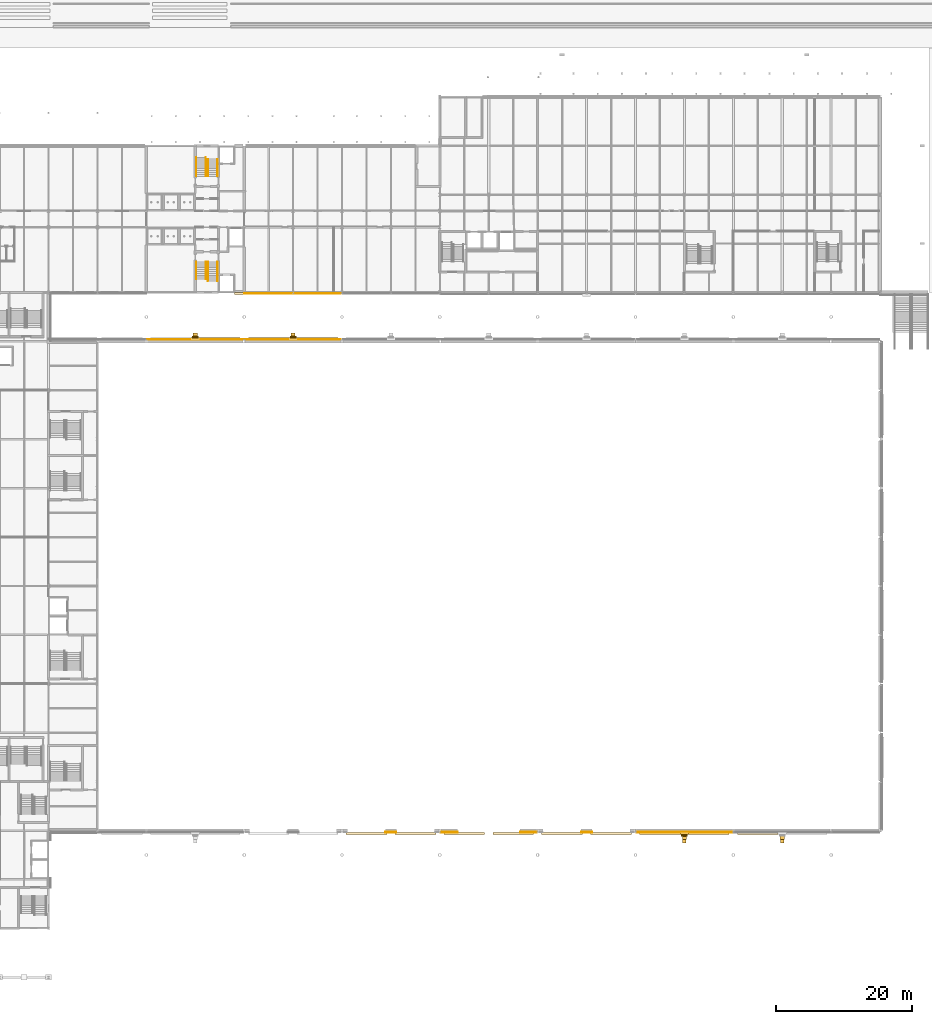
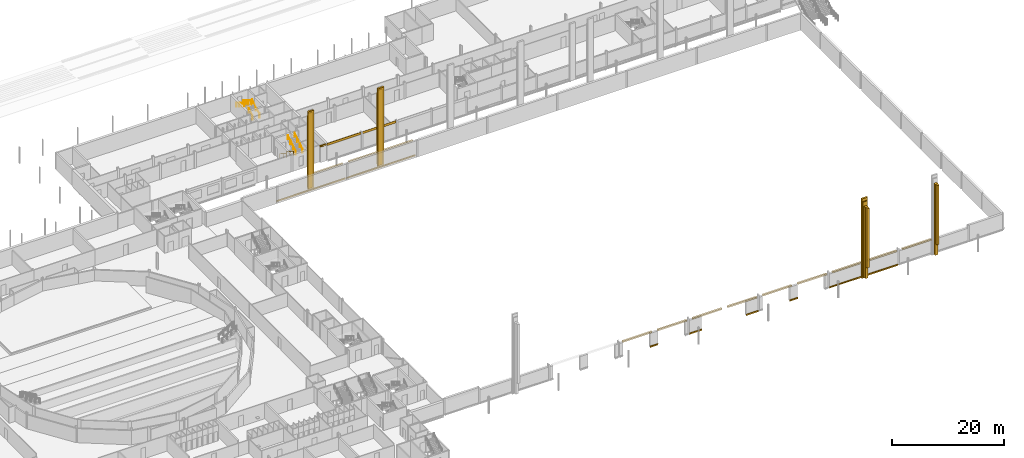
# One storey, part 83 of 90: 34 coverings, 8 railings.
"""IFC4 building model written with IfcOpenShell, lengths in metres."""

import ifcopenshell
import ifcopenshell.guid

model = None  # the IFC model being written
_history = None  # IfcOwnerHistory: only IFC2X3 demands one
_inside = {}  # id of a spatial element -> (the spatial element, [elements in it])
_under = {}  # id of a project, library or spatial element -> (it, [spatial elements below it])
_declared = {}  # id of a project -> (the project, [libraries it declares])
_typed = {}  # id of a type object -> (the type object, [elements of that type])
_made_of = {}  # id of a material, layer set ... -> (it, [elements and type objects made of it])


def new_model(schema):
    """Start an empty IFC model of exactly this schema.

    Asked for "IFC4X3", IfcOpenShell would pick the latest addendum, in which some entities
    have other attributes; the version numbers below select the first issue.
    IFC2X3 requires an IfcOwnerHistory on every rooted entity: one is made here for all.
    """
    global model, _history
    if schema == "IFC4X3":
        model = ifcopenshell.file(schema_version=(4, 3, 0, 0))
    else:
        model = ifcopenshell.file(schema=schema)
    _inside.clear()
    _under.clear()
    _declared.clear()
    _typed.clear()
    _made_of.clear()
    _history = None
    if model.schema == "IFC2X3":
        org = make("IfcOrganization", Name="unknown")
        user = make(
            "IfcPersonAndOrganization",
            ThePerson=make("IfcPerson", FamilyName="unknown"),
            TheOrganization=org,
        )
        app = make(
            "IfcApplication",
            ApplicationDeveloper=org,
            Version="unknown",
            ApplicationFullName="unknown",
            ApplicationIdentifier="unknown",
        )
        _history = make(
            "IfcOwnerHistory",
            OwningUser=user,
            OwningApplication=app,
            ChangeAction="ADDED",
            CreationDate=0,
        )
    return model


def make(cls, **values):
    """One entity of the class cls with the attributes given. An attribute that is None is left unset."""
    return model.create_entity(
        cls, **{name: value for name, value in values.items() if value is not None}
    )


def rooted(cls, **values):
    """An entity with a GlobalId (a new one), such as an element, a storey or a relation."""
    return make(cls, GlobalId=ifcopenshell.guid.new(), OwnerHistory=_history, **values)


def si_unit(unit_type, name, prefix=None):
    """IfcSIUnit, for example si_unit("LENGTHUNIT", "METRE", prefix="MILLI")."""
    return make("IfcSIUnit", UnitType=unit_type, Prefix=prefix, Name=name)


def assignment(units):
    """IfcUnitAssignment: the units of a project."""
    return None if units is None else make("IfcUnitAssignment", Units=units)


def point(xyz):
    """IfcCartesianPoint."""
    return None if xyz is None else make("IfcCartesianPoint", Coordinates=xyz)


def direction(xyz):
    """IfcDirection."""
    return None if xyz is None else make("IfcDirection", DirectionRatios=xyz)


def frame(location, z_axis=None, x_axis=None):
    """IfcAxis2Placement3D, a coordinate frame: its origin and axes. An axis left out is left unset."""
    return make(
        "IfcAxis2Placement3D",
        Location=point(location),
        Axis=direction(z_axis),
        RefDirection=direction(x_axis),
    )


def frame_2d(location, x_axis=None):
    """IfcAxis2Placement2D, a coordinate frame in the plane: its origin and x axis."""
    return make(
        "IfcAxis2Placement2D", Location=point(location), RefDirection=direction(x_axis)
    )


def origin():
    """The frame at (0, 0, 0) with its axes left unset."""
    return frame((0.0, 0.0, 0.0))


def origin_2d():
    """The frame at (0, 0) in the plane with its x axis left unset."""
    return frame_2d((0.0, 0.0))


def place(relative_to, where):
    """IfcLocalPlacement: puts the frame where relative to a parent placement (None: the world)."""
    return make(
        "IfcLocalPlacement", PlacementRelTo=relative_to, RelativePlacement=where
    )


def context(
    kind, dimensions, precision=None, world=None, true_north=None, identifier=None
):
    """IfcGeometricRepresentationContext, for example the 3D "Model" context."""
    return make(
        "IfcGeometricRepresentationContext",
        ContextIdentifier=identifier,
        ContextType=kind,
        CoordinateSpaceDimension=dimensions,
        Precision=precision,
        WorldCoordinateSystem=world,
        TrueNorth=true_north,
    )


def subcontext(parent, identifier, kind, view, scale=None):
    """IfcGeometricRepresentationSubContext, for example "Body" below "Model"."""
    return make(
        "IfcGeometricRepresentationSubContext",
        ContextIdentifier=identifier,
        ContextType=kind,
        ParentContext=parent,
        TargetScale=scale,
        TargetView=view,
    )


def project(units=None, contexts=None):
    """IfcProject with its units and contexts."""
    return rooted(
        "IfcProject",
        Name="project",
        RepresentationContexts=contexts,
        UnitsInContext=assignment(units),
    )


def spatial(cls, under=None, at=None, **own):
    """A site, building, storey or space (cls), placed at a placement, below another one or the project."""
    s = rooted(cls, ObjectPlacement=at, **own)
    if under is not None:
        _under.setdefault(under.id(), (under, []))[1].append(s)
    return s


def profile(cls, at=None, kind="AREA", **sizes):
    """A parametric profile (cls). Its sizes go by their IFC names, for example OverallWidth=200.0."""
    return make(cls, ProfileType=kind, Position=at, **sizes)


def rectangle(**sizes):
    """IfcRectangleProfileDef."""
    return profile("IfcRectangleProfileDef", **sizes)


def circle(**sizes):
    """IfcCircleProfileDef."""
    return profile("IfcCircleProfileDef", **sizes)


def extrude(swept, where, along, depth):
    """IfcExtrudedAreaSolid: the profile swept, set in the frame where, extruded along a direction by depth."""
    return make(
        "IfcExtrudedAreaSolid",
        SweptArea=swept,
        Position=where,
        ExtrudedDirection=direction(along),
        Depth=depth,
    )


def shape(context_of_items, identifier, shape_type, items):
    """IfcShapeRepresentation: the items that make up one representation, for example the "Body"."""
    return make(
        "IfcShapeRepresentation",
        ContextOfItems=context_of_items,
        RepresentationIdentifier=identifier,
        RepresentationType=shape_type,
        Items=items,
    )


def material(Name=None, Category=None):
    """IfcMaterial."""
    return make("IfcMaterial", Name=Name, Category=Category)


def layer(
    of_material, thickness, ventilated=None, Name=None, Category=None, Priority=None
):
    """IfcMaterialLayer: one layer of a wall or slab, of a material (None: an air gap)."""
    return make(
        "IfcMaterialLayer",
        Material=of_material,
        LayerThickness=thickness,
        IsVentilated=ventilated,
        Name=Name,
        Category=Category,
        Priority=Priority,
    )


def layer_set(layers, Name=None):
    """IfcMaterialLayerSet."""
    return make("IfcMaterialLayerSet", MaterialLayers=layers, LayerSetName=Name)


def made_of(thing, what):
    """Note that an element or type object is made of a material, layer set ...; save() writes the relation."""
    if what is not None:
        _made_of.setdefault(what.id(), (what, []))[1].append(thing)
    return thing


def type_object(cls, material=None, **own):
    """A type object (cls), such as IfcWallType, which elements share."""
    return made_of(rooted(cls, **own), material)


def element(
    cls,
    number,
    at=None,
    inside=None,
    cuts=None,
    type_object=None,
    material=None,
    context=None,
    identifier="Body",
    shape_type=None,
    held_by="IfcProductDefinitionShape",
    body=None,
    shapes=None,
    **own,
):
    """One element of the class cls, such as IfcWall. Its Tag is "e" and its number.

    at: its placement. inside: the storey or other place that contains it. cuts: it is an
    opening in that element (IfcRelVoidsElement). A single representation is given by context,
    identifier, shape_type and body (its items); several are given by shapes. held_by: the class
    of the entity that holds the representations. save() writes the other relations.
    """
    e = rooted(cls, Tag="e%d" % number, ObjectPlacement=at, **own)
    if body is not None:
        shapes = [shape(context, identifier, shape_type, body)]
    if shapes is not None:
        e.Representation = make(held_by, Representations=shapes)
    if inside is not None:
        _inside.setdefault(inside.id(), (inside, []))[1].append(e)
    if cuts is not None:
        rooted(
            "IfcRelVoidsElement", RelatingBuildingElement=cuts, RelatedOpeningElement=e
        )
    if type_object is not None:
        _typed.setdefault(type_object.id(), (type_object, []))[1].append(e)
    return made_of(e, material)


def aggregate(whole, parts):
    """IfcRelAggregates: a whole, such as a stair, and the parts it consists of."""
    return rooted("IfcRelAggregates", RelatingObject=whole, RelatedObjects=parts)


def save(model, path):
    """Write the relations noted so far, then the file.

    IfcRelAggregates (storeys below a building ...), IfcRelContainedInSpatialStructure (elements
    in a storey), IfcRelDefinesByType, IfcRelAssociatesMaterial and IfcRelDeclares: one each for
    every whole, place, type object, material and project.
    """
    for whole, parts in _under.values():
        aggregate(whole, parts)
    for where, things in _inside.values():
        rooted(
            "IfcRelContainedInSpatialStructure",
            RelatedElements=things,
            RelatingStructure=where,
        )
    for kind, things in _typed.values():
        rooted("IfcRelDefinesByType", RelatedObjects=things, RelatingType=kind)
    for what, things in _made_of.values():
        rooted("IfcRelAssociatesMaterial", RelatedObjects=things, RelatingMaterial=what)
    for by, libraries in _declared.values():
        rooted("IfcRelDeclares", RelatingContext=by, RelatedDefinitions=libraries)
    model.write(path)


model = new_model("IFC4")

# Units and contexts
model_context = context("Model", 3, precision=1e-05, world=origin(), true_north=direction((0.0, 1.0)))
body_context = subcontext(model_context, "Body", "Model", "MODEL_VIEW")
ifc_project = project(units=[si_unit("LENGTHUNIT", "METRE"), si_unit("AREAUNIT", "SQUARE_METRE"), si_unit("VOLUMEUNIT", "CUBIC_METRE"), si_unit("PLANEANGLEUNIT", "RADIAN"), si_unit("MASSUNIT", "GRAM", prefix="KILO")], contexts=[model_context])

# Site, building, storey
site_placement = place(None, origin())
site = spatial("IfcSite", under=ifc_project, at=site_placement, CompositionType="ELEMENT")
building_placement = place(site_placement, origin())
building = spatial("IfcBuilding", under=site, at=building_placement, Name="Kupolbacken Congress Centre", CompositionType="ELEMENT")
storey_placement = place(building_placement, frame((0.0, 0.0, 3.60009765625)))
storey = spatial("IfcBuildingStorey", under=building, at=storey_placement, Name="L01", CompositionType="ELEMENT", Elevation=3.60009765625)

# Coverings
ifc_material_1 = material(Name="Limestone cladding", Category="masonry")
ifc_layer_1 = layer(ifc_material_1, 0.1201171875)
ifc_layer_set_1 = layer_set([ifc_layer_1], Name="Limestone cladding")
covering_type_1 = type_object("IfcCoveringType", Name="CV1 limestone cladding band 120", PredefinedType="CLADDING", material=ifc_layer_set_1)
covering_1_placement = place(storey_placement, frame((107.199951171875, 122.2451171875, 3.419921875), z_axis=(0.0, 0.0, 1.0), x_axis=(1.0, 0.0, 0.0)))
element("IfcCovering", 1, at=covering_1_placement, inside=storey, type_object=covering_type_1, Name="E/T/S/L01/009/band", PredefinedType="CLADDING", context=body_context, shape_type="SweptSolid", body=[
    extrude(rectangle(XDim=1.199951171875, YDim=0.31005859375, at=origin_2d()), origin(), (0.0, 0.0, 1.0), 0.179931640625),
])
covering_2_placement = place(storey_placement, frame((111.523193359375, 122.282470703125, 3.119873046875), z_axis=(0.0, 0.0, 1.0), x_axis=(1.0, 0.0, 0.0)))
element("IfcCovering", 2, at=covering_2_placement, inside=storey, type_object=covering_type_1, Name="E/T/S/L01/010/band", PredefinedType="CLADDING", context=body_context, shape_type="SweptSolid", body=[
    extrude(rectangle(XDim=7.04638671875, YDim=0.06494140625, at=origin_2d()), origin(), (0.0, 0.0, 1.0), 0.47998046875),
])
covering_3_placement = place(storey_placement, frame((118.800048828125, 122.282470703125, 3.119873046875), z_axis=(0.0, 0.0, 1.0), x_axis=(1.0, 0.0, 0.0)))
element("IfcCovering", 3, at=covering_3_placement, inside=storey, type_object=covering_type_1, Name="E/T/S/L01/011/band", PredefinedType="CLADDING", context=body_context, shape_type="SweptSolid", body=[
    extrude(rectangle(XDim=6.89306640625, YDim=0.06494140625, at=origin_2d()), origin(), (0.0, 0.0, 1.0), 0.47998046875),
])
ifc_material_2 = material(Name="Brick cladding", Category="masonry")
ifc_layer_2 = layer(ifc_material_2, 0.10791015625)
ifc_layer_set_2 = layer_set([ifc_layer_2], Name="Brick cladding")
covering_type_2 = type_object("IfcCoveringType", Name="CV2 brick cladding band 108", PredefinedType="CLADDING", material=ifc_layer_set_2)
for number, where, z_axis, x_axis, name in (
    (4, (115.199951171875, 115.464111328125, 0.0), (0.0, 0.0, 1.0), (-1.0, 0.0, 0.0), "E/H/N/L01/168/band"),
    (5, (100.800048828125, 115.464111328125, 0.0), (0.0, 0.0, 1.0), (-1.0, 0.0, 0.0), "E/H/N/L01/169/band"),
):
    element("IfcCovering", number, at=place(storey_placement, frame(where, z_axis=z_axis, x_axis=x_axis)), inside=storey, type_object=covering_type_2, Name=name, PredefinedType="CLADDING", context=body_context, shape_type="SweptSolid", body=[
        extrude(rectangle(XDim=14.10009765625, YDim=0.10791015625, at=origin_2d()), origin(), (0.0, 0.0, 1.0), 0.300048828125),
    ])
covering_4_placement = place(storey_placement, frame((129.60009765625, 42.93603515625, 0.0), z_axis=(0.0, 0.0, 1.0), x_axis=(1.0, 0.0, 0.0)))
element("IfcCovering", 6, at=covering_4_placement, inside=storey, type_object=covering_type_2, Name="E/H/S/L01/177/band", PredefinedType="CLADDING", context=body_context, shape_type="SweptSolid", body=[
    extrude(rectangle(XDim=1.60009765625, YDim=0.10791015625, at=origin_2d()), origin(), (0.0, 0.0, 1.0), 0.300048828125),
])
for number, where, z_axis, x_axis, name in (
    (7, (138.175048828125, 42.93603515625, 0.0), (0.0, 0.0, 1.0), (1.0, 0.0, 0.0), "E/H/S/L01/179/band"),
    (8, (149.824951171875, 42.93603515625, 0.0), (0.0, 0.0, 1.0), (1.0, 0.0, 0.0), "E/H/S/L01/180/band"),
):
    element("IfcCovering", number, at=place(storey_placement, frame(where, z_axis=z_axis, x_axis=x_axis)), inside=storey, type_object=covering_type_2, Name=name, PredefinedType="CLADDING", context=body_context, shape_type="SweptSolid", body=[
        extrude(rectangle(XDim=2.449951171875, YDim=0.10791015625, at=origin_2d()), origin(), (0.0, 0.0, 1.0), 0.300048828125),
    ])
covering_5_placement = place(storey_placement, frame((158.39990234375, 42.93603515625, 0.0), z_axis=(0.0, 0.0, 1.0), x_axis=(1.0, 0.0, 0.0)))
element("IfcCovering", 9, at=covering_5_placement, inside=storey, type_object=covering_type_2, Name="E/H/S/L01/182/band", PredefinedType="CLADDING", context=body_context, shape_type="SweptSolid", body=[
    extrude(rectangle(XDim=1.60009765625, YDim=0.10791015625, at=origin_2d()), origin(), (0.0, 0.0, 1.0), 0.300048828125),
])
covering_6_placement = place(storey_placement, frame((172.800048828125, 42.93603515625, 0.0), z_axis=(0.0, 0.0, 1.0), x_axis=(1.0, 0.0, 0.0)))
element("IfcCovering", 10, at=covering_6_placement, inside=storey, type_object=covering_type_2, Name="E/H/S/L01/184/band", PredefinedType="CLADDING", context=body_context, shape_type="SweptSolid", body=[
    extrude(rectangle(XDim=14.10009765625, YDim=0.10791015625, at=origin_2d()), origin(), (0.0, 0.0, 1.0), 0.300048828125),
])
ifc_material_3 = material(Name="Limestone cladding", Category="masonry")
ifc_layer_3 = layer(ifc_material_3, 0.35009765625)
ifc_layer_set_3 = layer_set([ifc_layer_3], Name="Limestone cladding")
covering_type_3 = type_object("IfcCoveringType", Name="CV3 limestone pilaster strip 350", PredefinedType="CLADDING", material=ifc_layer_set_3)
for number, where, z_axis, x_axis, name in (
    (11, (172.800048828125, 42.764892578125, 0.0), (0.0, 0.0, 1.0), (1.0, 0.0, 0.0), "F/H/S/pil/12/0"),
    (12, (100.800048828125, 115.5849609375, 0.0), (0.0, 0.0, 1.0), (1.0, 0.0, 0.0), "F/H/N/pil/02/0"),
    (13, (115.199951171875, 115.5849609375, 0.0), (0.0, 0.0, 1.0), (1.0, 0.0, 0.0), "F/H/N/pil/04/0"),
):
    element("IfcCovering", number, at=place(storey_placement, frame(where, z_axis=z_axis, x_axis=x_axis)), inside=storey, type_object=covering_type_3, Name=name, PredefinedType="CLADDING", context=body_context, shape_type="SweptSolid", body=[
        extrude(rectangle(XDim=1.199951171875, YDim=0.35009765625, at=origin_2d()), origin(), (0.0, 0.0, 1.0), 17.3349609375),
    ])
for number, where, z_axis, x_axis, name in (
    (14, (126.0, 42.764892578125, 3.2998046875), (0.0, 0.0, 1.0), (1.0, 0.0, 0.0), "F/HR/H/S/string/7.2/05/0"),
    (15, (133.199951171875, 42.764892578125, 3.2998046875), (0.0, 0.0, 1.0), (1.0, 0.0, 0.0), "F/HR/H/S/string/7.2/06/0"),
    (16, (140.39990234375, 42.764892578125, 3.2998046875), (0.0, 0.0, 1.0), (1.0, 0.0, 0.0), "F/HR/H/S/string/7.2/07/0"),
    (17, (147.60009765625, 42.764892578125, 3.2998046875), (0.0, 0.0, 1.0), (1.0, 0.0, 0.0), "F/HR/H/S/string/7.2/08/0"),
    (18, (154.800048828125, 42.764892578125, 3.2998046875), (0.0, 0.0, 1.0), (1.0, 0.0, 0.0), "F/HR/H/S/string/7.2/09/0"),
    (19, (162.0, 42.764892578125, 3.2998046875), (0.0, 0.0, 1.0), (1.0, 0.0, 0.0), "F/HR/H/S/string/7.2/10/0"),
    (20, (169.199951171875, 42.764892578125, 3.2998046875), (0.0, 0.0, 1.0), (1.0, 0.0, 0.0), "F/HR/H/S/string/7.2/11/0"),
    (21, (176.39990234375, 42.764892578125, 3.2998046875), (0.0, 0.0, 1.0), (1.0, 0.0, 0.0), "F/HR/H/S/string/7.2/12/0"),
    (22, (183.60009765625, 42.764892578125, 3.2998046875), (0.0, 0.0, 1.0), (1.0, 0.0, 0.0), "F/HR/H/S/string/7.2/13/0"),
    (23, (104.39990234375, 115.5849609375, 3.2998046875), (0.0, 0.0, 1.0), (1.0, 0.0, 0.0), "F/HR/H/N/string/7.2/02/0"),
    (24, (111.60009765625, 115.5849609375, 3.2998046875), (0.0, 0.0, 1.0), (1.0, 0.0, 0.0), "F/HR/H/N/string/7.2/03/0"),
    (25, (118.800048828125, 115.5849609375, 3.2998046875), (0.0, 0.0, 1.0), (1.0, 0.0, 0.0), "F/HR/H/N/string/7.2/04/0"),
):
    element("IfcCovering", number, at=place(storey_placement, frame(where, z_axis=z_axis, x_axis=x_axis)), inside=storey, type_object=covering_type_3, Name=name, PredefinedType="CLADDING", context=body_context, shape_type="SweptSolid", body=[
        extrude(rectangle(XDim=6.0, YDim=0.35009765625, at=origin_2d()), origin(), (0.0, 0.0, 1.0), 0.300048828125),
    ])
ifc_material_4 = material(Name="Limestone cladding", Category="masonry")
ifc_layer_4 = layer(ifc_material_4, 0.5)
ifc_layer_set_4 = layer_set([ifc_layer_4], Name="Limestone cladding")
covering_type_4 = type_object("IfcCoveringType", Name="CV8 limestone drum pier 500", PredefinedType="CLADDING", material=ifc_layer_set_4)
covering_7_placement = place(storey_placement, frame((172.800048828125, 42.139892578125, 0.2998046875), z_axis=(0.0, 0.0, 1.0), x_axis=(1.0, 0.0, 0.0)))
element("IfcCovering", 26, at=covering_7_placement, inside=storey, type_object=covering_type_4, Name="F/HR/H/S/butt/12-0/0", PredefinedType="CLADDING", context=body_context, shape_type="SweptSolid", body=[
    extrude(rectangle(XDim=0.60009765625, YDim=0.5, at=origin_2d()), origin(), (0.0, 0.0, 1.0), 15.485107421875),
])
covering_8_placement = place(storey_placement, frame((172.800048828125, 41.639892578125, 2.89990234375), z_axis=(0.0, 0.0, 1.0), x_axis=(1.0, 0.0, 0.0)))
element("IfcCovering", 27, at=covering_8_placement, inside=storey, type_object=covering_type_4, Name="F/HR/H/S/butt2/12-0/0", PredefinedType="CLADDING", context=body_context, shape_type="SweptSolid", body=[
    extrude(rectangle(XDim=0.5, YDim=0.5, at=origin_2d()), origin(), (0.0, 0.0, 1.0), 12.885009765625),
])
covering_9_placement = place(storey_placement, frame((187.199951171875, 42.139892578125, 0.2998046875), z_axis=(0.0, 0.0, 1.0), x_axis=(1.0, 0.0, 0.0)))
element("IfcCovering", 28, at=covering_9_placement, inside=storey, type_object=covering_type_4, Name="F/HR/H/S/butt/14-0/0", PredefinedType="CLADDING", context=body_context, shape_type="SweptSolid", body=[
    extrude(rectangle(XDim=0.60009765625, YDim=0.5, at=origin_2d()), origin(), (0.0, 0.0, 1.0), 15.485107421875),
])
covering_10_placement = place(storey_placement, frame((187.199951171875, 41.639892578125, 2.89990234375), z_axis=(0.0, 0.0, 1.0), x_axis=(1.0, 0.0, 0.0)))
element("IfcCovering", 29, at=covering_10_placement, inside=storey, type_object=covering_type_4, Name="F/HR/H/S/butt2/14-0/0", PredefinedType="CLADDING", context=body_context, shape_type="SweptSolid", body=[
    extrude(rectangle(XDim=0.5, YDim=0.5, at=origin_2d()), origin(), (0.0, 0.0, 1.0), 12.885009765625),
])
for number, where, z_axis, x_axis, name in (
    (30, (100.800048828125, 116.2099609375, 0.2998046875), (0.0, 0.0, 1.0), (1.0, 0.0, 0.0), "F/HR/H/N/butt/02-0/0"),
    (31, (115.199951171875, 116.2099609375, 0.2998046875), (0.0, 0.0, 1.0), (1.0, 0.0, 0.0), "F/HR/H/N/butt/04-0/0"),
):
    element("IfcCovering", number, at=place(storey_placement, frame(where, z_axis=z_axis, x_axis=x_axis)), inside=storey, type_object=covering_type_4, Name=name, PredefinedType="CLADDING", context=body_context, shape_type="SweptSolid", body=[
        extrude(rectangle(XDim=0.60009765625, YDim=0.5, at=origin_2d()), origin(), (0.0, 0.0, 1.0), 15.485107421875),
    ])
ifc_material_5 = material(Name="Limestone cladding", Category="masonry")
ifc_layer_5 = layer(ifc_material_5, 0.199951171875)
ifc_layer_set_5 = layer_set([ifc_layer_5], Name="Limestone cladding")
covering_type_5 = type_object("IfcCoveringType", Name="CV9 limestone drum arch frame 200", PredefinedType="CLADDING", material=ifc_layer_set_5)
for number, where, z_axis, x_axis, name in (
    (32, (172.800048828125, 42.489990234375, 0.2998046875), (0.0, 0.0, 1.0), (1.0, 0.0, 0.0), "F/HR/H/S/rib/12-0/0"),
    (33, (100.800048828125, 115.860107421875, 0.2998046875), (0.0, 0.0, 1.0), (1.0, 0.0, 0.0), "F/HR/H/N/rib/02-0/0"),
    (34, (115.199951171875, 115.860107421875, 0.2998046875), (0.0, 0.0, 1.0), (1.0, 0.0, 0.0), "F/HR/H/N/rib/04-0/0"),
):
    element("IfcCovering", number, at=place(storey_placement, frame(where, z_axis=z_axis, x_axis=x_axis)), inside=storey, type_object=covering_type_5, Name=name, PredefinedType="CLADDING", context=body_context, shape_type="SweptSolid", body=[
        extrude(rectangle(XDim=0.89990234375, YDim=0.199951171875, at=origin_2d()), origin(), (0.0, 0.0, 1.0), 16.43505859375),
    ])

# Railings
ifc_material_6 = material(Name="Steel S235", Category="steel")
railing_type = type_object("IfcRailingType", Name="RL3 handrail wall-mounted 900", PredefinedType="HANDRAIL", material=ifc_material_6)
for number, where, name in (
    (35, (102.35009765625, 126.89501953125, 0.17138671875), "C/stair/TS1/L01/HR1L"),
    (36, (100.949951171875, 126.89501953125, 0.17138671875), "C/stair/TS1/L01/HR1R"),
):
    element("IfcRailing", number, at=place(storey_placement, frame(where)), inside=storey, type_object=railing_type, Name=name, PredefinedType="HANDRAIL", context=body_context, shape_type="SweptSolid", body=[
        extrude(circle(Radius=0.02392578125, at=origin_2d()), frame((0.0, 0.0, 0.8759765625), z_axis=(0.0, -0.852873080145, 0.522118290393), x_axis=(1.0, 0.0, 0.0)), (0.0, 0.0, 1.0), 2.954833984375),
        extrude(circle(Radius=0.02099609375, at=origin_2d()), origin(), (0.0, 0.0, 1.0), 0.851806640625),
        extrude(circle(Radius=0.02099609375, at=origin_2d()), frame((0.0, -1.260009765625, 0.771484375)), (0.0, 0.0, 1.0), 0.851806640625),
        extrude(circle(Radius=0.02099609375, at=origin_2d()), frame((0.0, -2.52001953125, 1.542724609375)), (0.0, 0.0, 1.0), 0.851806640625),
    ])
for number, where, name in (
    (37, (102.64990234375, 124.094970703125, 1.885498046875), "C/stair/TS1/L01/HR2L"),
    (38, (104.050048828125, 124.094970703125, 1.885498046875), "C/stair/TS1/L01/HR2R"),
):
    element("IfcRailing", number, at=place(storey_placement, frame(where)), inside=storey, type_object=railing_type, Name=name, PredefinedType="HANDRAIL", context=body_context, shape_type="SweptSolid", body=[
        extrude(circle(Radius=0.02392578125, at=origin_2d()), frame((0.0, 0.0, 0.8759765625), z_axis=(0.0, 0.852845897599, 0.522162690116), x_axis=(-1.0, 0.0, 0.0)), (0.0, 0.0, 1.0), 3.283203125),
        extrude(circle(Radius=0.02099609375, at=origin_2d()), origin(), (0.0, 0.0, 1.0), 0.851806640625),
        extrude(circle(Radius=0.02099609375, at=origin_2d()), frame((0.0, 0.933349609375, 0.571533203125)), (0.0, 0.0, 1.0), 0.851806640625),
        extrude(circle(Radius=0.02099609375, at=origin_2d()), frame((0.0, 1.86669921875, 1.142822265625)), (0.0, 0.0, 1.0), 0.851806640625),
        extrude(circle(Radius=0.02099609375, at=origin_2d()), frame((0.0, 2.800048828125, 1.71435546875)), (0.0, 0.0, 1.0), 0.851806640625),
    ])
for number, where, name in (
    (39, (102.64990234375, 139.5048828125, 0.17138671875), "C/stair/TS2/L01/HR1L"),
    (40, (104.050048828125, 139.5048828125, 0.17138671875), "C/stair/TS2/L01/HR1R"),
):
    element("IfcRailing", number, at=place(storey_placement, frame(where)), inside=storey, type_object=railing_type, Name=name, PredefinedType="HANDRAIL", context=body_context, shape_type="SweptSolid", body=[
        extrude(circle(Radius=0.02392578125, at=origin_2d()), frame((0.0, 0.0, 0.8759765625), z_axis=(0.0, 0.852873080145, 0.522118290393), x_axis=(-1.0, 0.0, 0.0)), (0.0, 0.0, 1.0), 2.954833984375),
        extrude(circle(Radius=0.02099609375, at=origin_2d()), origin(), (0.0, 0.0, 1.0), 0.851806640625),
        extrude(circle(Radius=0.02099609375, at=origin_2d()), frame((0.0, 1.260009765625, 0.771484375)), (0.0, 0.0, 1.0), 0.851806640625),
        extrude(circle(Radius=0.02099609375, at=origin_2d()), frame((0.0, 2.52001953125, 1.542724609375)), (0.0, 0.0, 1.0), 0.851806640625),
    ])
for number, where, name in (
    (41, (102.35009765625, 142.304931640625, 1.885498046875), "C/stair/TS2/L01/HR2L"),
    (42, (100.949951171875, 142.304931640625, 1.885498046875), "C/stair/TS2/L01/HR2R"),
):
    element("IfcRailing", number, at=place(storey_placement, frame(where)), inside=storey, type_object=railing_type, Name=name, PredefinedType="HANDRAIL", context=body_context, shape_type="SweptSolid", body=[
        extrude(circle(Radius=0.02392578125, at=origin_2d()), frame((0.0, 0.0, 0.8759765625), z_axis=(0.0, -0.852845897599, 0.522162690116), x_axis=(1.0, 0.0, 0.0)), (0.0, 0.0, 1.0), 3.283203125),
        extrude(circle(Radius=0.02099609375, at=origin_2d()), origin(), (0.0, 0.0, 1.0), 0.851806640625),
        extrude(circle(Radius=0.02099609375, at=origin_2d()), frame((0.0, -0.933349609375, 0.571533203125)), (0.0, 0.0, 1.0), 0.851806640625),
        extrude(circle(Radius=0.02099609375, at=origin_2d()), frame((0.0, -1.86669921875, 1.142822265625)), (0.0, 0.0, 1.0), 0.851806640625),
        extrude(circle(Radius=0.02099609375, at=origin_2d()), frame((0.0, -2.800048828125, 1.71435546875)), (0.0, 0.0, 1.0), 0.851806640625),
    ])

save(model, "model.ifc")
